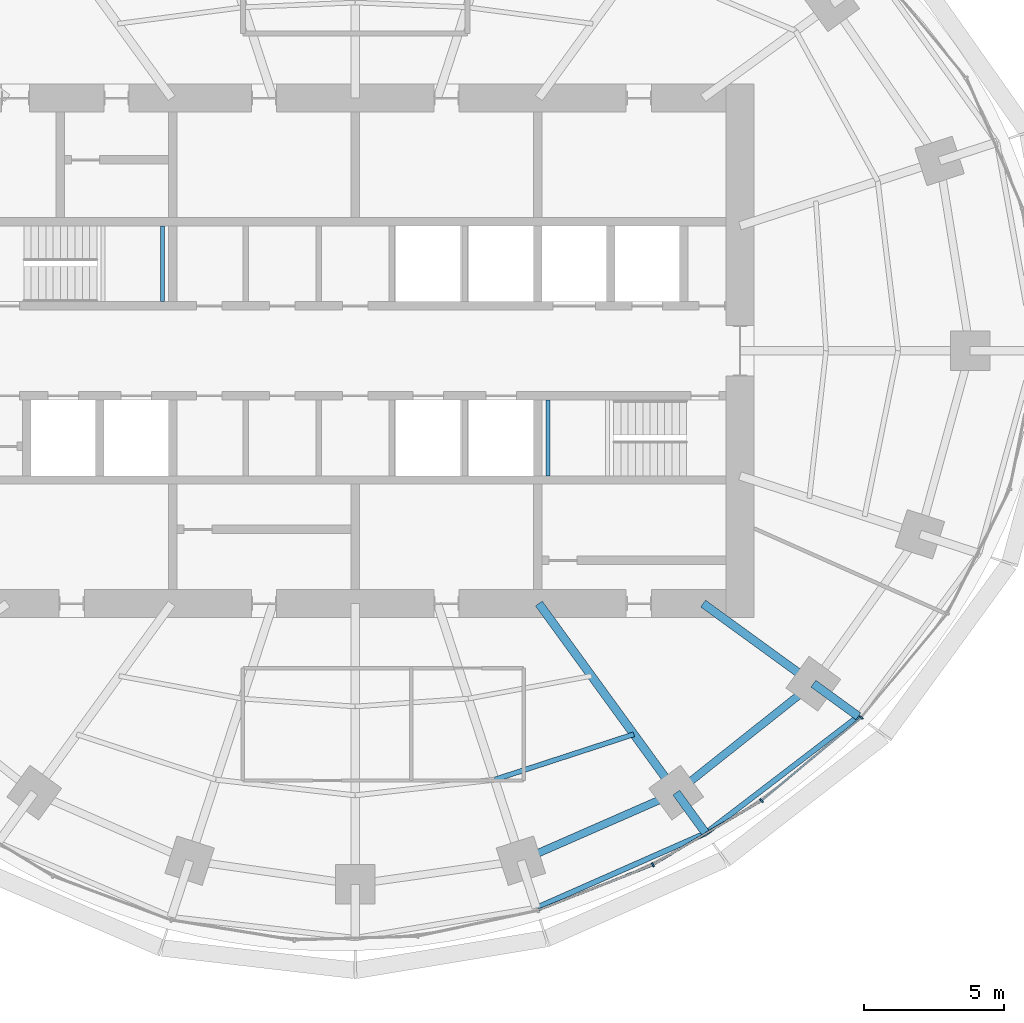
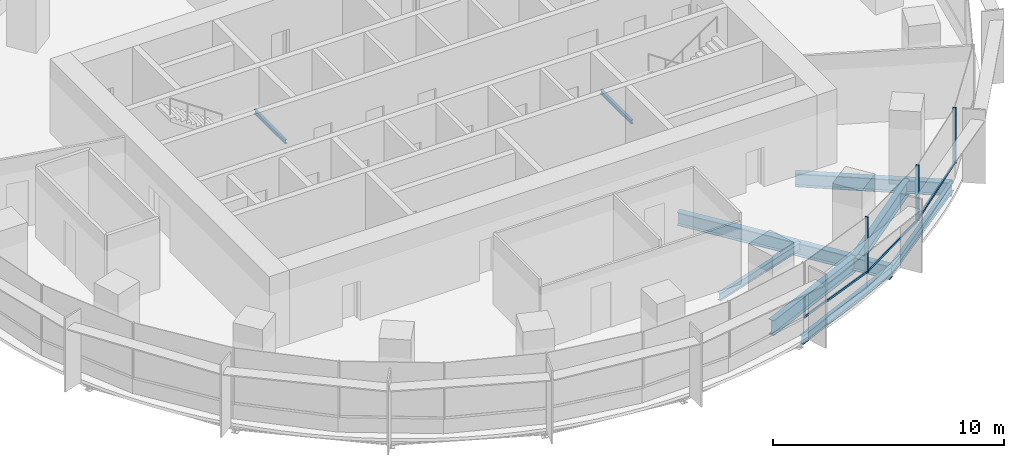
# One storey, part 5 of 14: 11 beams, 6 members, 2 elements without a shape of their own.
"""IFC4 building model written with IfcOpenShell, lengths in metres."""

from ifc_helpers import new_model, si_unit, direction, frame, origin, origin_2d, place, context, subcontext, project, spatial, rectangle, i_section, extrude, material, material_profile, profile_set, type_object, element, aggregate, save


model = new_model("IFC4")

# Units and contexts
model_context = context("Model", 3, precision=1e-05, world=origin(), true_north=direction((0.0, 1.0)))
body_context = subcontext(model_context, "Body", "Model", "MODEL_VIEW")
ifc_project = project(units=[si_unit("LENGTHUNIT", "METRE"), si_unit("AREAUNIT", "SQUARE_METRE"), si_unit("VOLUMEUNIT", "CUBIC_METRE"), si_unit("PLANEANGLEUNIT", "RADIAN"), si_unit("MASSUNIT", "GRAM", prefix="KILO")], contexts=[model_context])

# Site, building, storey
site_placement = place(None, origin())
site = spatial("IfcSite", under=ifc_project, at=site_placement, CompositionType="ELEMENT")
building_placement = place(site_placement, origin())
building = spatial("IfcBuilding", under=site, at=building_placement, Name="Marramba Exchange Tower", CompositionType="ELEMENT")
storey_placement = place(building_placement, frame((0.0, 0.0, 218.89990234375)))
storey = spatial("IfcBuildingStorey", under=building, at=storey_placement, Name="L53", CompositionType="ELEMENT", Elevation=218.89990234375)

# Beams
ifc_material_1 = material(Name="Steel AS/NZS 3679.2 grade 300", Category="steel")
ifc_material_profile_1 = material_profile(ifc_material_1, i_section(OverallWidth=0.300048828125, OverallDepth=0.699951171875, WebThickness=0.010009765625, FlangeThickness=0.031982421875, at=origin_2d()), Name="700WB173")
ifc_profile_set_1 = profile_set([ifc_material_profile_1], Name="Steel AS/NZS 3679.2 grade 300")
beam_type_1 = type_object("IfcBeamType", Name="Cantilever girder 700WB173", PredefinedType="BEAM", material=ifc_profile_set_1)
beam_1_placement = place(storey_placement, frame((11.430419921875, -15.732666015625, -0.510009765625), z_axis=(0.58783009415, -0.808984412959, 0.0), x_axis=(0.808984412959, 0.58783009415, 0.0)))
element("IfcBeam", 1, at=beam_1_placement, inside=storey, type_object=beam_type_1, Name="Cantilever girder L53 TC18", PredefinedType="BEAM", context=body_context, shape_type="SweptSolid", body=[
    extrude(i_section(OverallWidth=0.300048828125, OverallDepth=0.699951171875, WebThickness=0.010009765625, FlangeThickness=0.031982421875, at=origin_2d()), origin(), (0.0, 0.0, 1.0), 1.78515625),
])
beam_2_placement = place(storey_placement, frame((16.3154296875, -11.853759765625, -0.510009765625), z_axis=(0.808970801893, -0.587848825537, 0.0), x_axis=(0.587848825537, 0.808970801893, 0.0)))
element("IfcBeam", 2, at=beam_2_placement, inside=storey, type_object=beam_type_1, Name="Cantilever girder L53 TC19", PredefinedType="BEAM", context=body_context, shape_type="SweptSolid", body=[
    extrude(i_section(OverallWidth=0.300048828125, OverallDepth=0.699951171875, WebThickness=0.010009765625, FlangeThickness=0.031982421875, at=origin_2d()), origin(), (0.0, 0.0, 1.0), 1.978515625),
])
ifc_material_2 = material(Name="Steel AS/NZS 3679.1 grade 300", Category="steel")
ifc_material_profile_2 = material_profile(ifc_material_2, i_section(OverallWidth=0.177978515625, OverallDepth=0.406005859375, WebThickness=0.0078125, FlangeThickness=0.0126953125, FilletRadius=0.011474609375, at=origin_2d()), Name="410UB59.7")
ifc_profile_set_2 = profile_set([ifc_material_profile_2], Name="Steel AS/NZS 3679.1 grade 300")
beam_type_2 = type_object("IfcBeamType", Name="Floor joist 410UB59.7", PredefinedType="JOIST", material=ifc_profile_set_2)
beam_3_placement = place(storey_placement, frame((4.9619140625, -15.271484375, -0.36279296875), z_axis=(0.950764024931, 0.309915744834, 0.0), x_axis=(-0.309915744834, 0.950764024931, 0.0)))
element("IfcBeam", 3, at=beam_3_placement, inside=storey, type_object=beam_type_2, Name="Joist L53 bay 17 row 2", PredefinedType="JOIST", context=body_context, shape_type="SweptSolid", body=[
    extrude(i_section(OverallWidth=0.177978515625, OverallDepth=0.406005859375, WebThickness=0.0078125, FlangeThickness=0.0126953125, FilletRadius=0.011474609375, at=origin_2d()), origin(), (0.0, 0.0, 1.0), 5.2158203125),
])

# Curtain wall, members
ifc_material_3 = material(Name="Aluminium framing, bronze anodised", Category="aluminium")
curtain_wall_type = type_object("IfcCurtainWallType", Name="Office ribbon curtain wall", PredefinedType="USERDEFINED", material=ifc_material_3)
curtain_wall_1_placement = place(storey_placement, origin())
curtain_wall_1 = element("IfcCurtainWall", 4, at=curtain_wall_1_placement, inside=storey, type_object=curtain_wall_type, Name="Curtain wall CW4 L53 F26-F30", ObjectType="RIBBON CURTAIN WALL", PredefinedType="USERDEFINED")
ifc_material_4 = material(Name="Aluminium mullion, bronze anodised", Category="aluminium")
ifc_material_profile_3 = material_profile(ifc_material_4, rectangle(XDim=0.159912109375, YDim=0.06005859375, at=origin_2d()), Name="CW4 mullion 60x160")
ifc_profile_set_3 = profile_set([ifc_material_profile_3], Name="Aluminium mullion, bronze anodised")
member_type_1 = type_object("IfcMemberType", Name="Office ribbon curtain wall mullion", PredefinedType="MULLION", material=ifc_profile_set_3)
member_1_placement = place(storey_placement, frame((10.60009765625, -18.2998046875, 0.800048828125), z_axis=(0.0, 0.0, 1.0), x_axis=(-0.508010571686, 0.861350833897, 0.0)))
member_1 = element("IfcMember", 5, at=member_1_placement, type_object=member_type_1, Name="CW4 mullion 1", PredefinedType="MULLION", context=body_context, shape_type="SweptSolid", body=[
    extrude(rectangle(XDim=0.159912109375, YDim=0.06005859375, at=origin_2d()), origin(), (0.0, 0.0, 1.0), 2.93994140625),
])
member_2_placement = place(storey_placement, frame((14.461669921875, -16.0166015625, 0.800048828125), z_axis=(0.0, 0.0, 1.0), x_axis=(-0.639565270127, 0.768736798421, 0.0)))
member_2 = element("IfcMember", 6, at=member_2_placement, type_object=member_type_1, Name="CW4 mullion 1", PredefinedType="MULLION", context=body_context, shape_type="SweptSolid", body=[
    extrude(rectangle(XDim=0.159912109375, YDim=0.06005859375, at=origin_2d()), origin(), (0.0, 0.0, 1.0), 2.93994140625),
])
member_3_placement = place(storey_placement, frame((18.01611328125, -13.052490234375, 0.800048828125), z_axis=(0.0, 0.0, 1.0), x_axis=(-0.769912069289, 0.63814998673, 0.0)))
member_3 = element("IfcMember", 7, at=member_3_placement, type_object=member_type_1, Name="CW4 mullion 1", PredefinedType="MULLION", context=body_context, shape_type="SweptSolid", body=[
    extrude(rectangle(XDim=0.159912109375, YDim=0.06005859375, at=origin_2d()), origin(), (0.0, 0.0, 1.0), 2.93994140625),
])

# Curtain wall, member
curtain_wall_2_placement = place(storey_placement, origin())
curtain_wall_2 = element("IfcCurtainWall", 8, at=curtain_wall_2_placement, inside=storey, type_object=curtain_wall_type, Name="Curtain wall CW4 L53 F21-F25", ObjectType="RIBBON CURTAIN WALL", PredefinedType="USERDEFINED")
ifc_material_5 = material(Name="Aluminium transom, bronze anodised", Category="aluminium")
ifc_material_profile_4 = material_profile(ifc_material_5, rectangle(XDim=0.06005859375, YDim=0.1201171875, at=origin_2d()), Name="CW4 transom 60x120")
ifc_profile_set_4 = profile_set([ifc_material_profile_4], Name="Aluminium transom, bronze anodised")
member_type_2 = type_object("IfcMemberType", Name="Office ribbon curtain wall transom", PredefinedType="USERDEFINED", material=ifc_profile_set_4)
member_4_placement = place(storey_placement, frame((6.53271484375, -19.911376953125, 0.830078125), z_axis=(0.930068344217, 0.367386547229, 0.0), x_axis=(-0.367386547229, 0.930068344217, 0.0)))
member_4 = element("IfcMember", 9, at=member_4_placement, type_object=member_type_2, Name="CW4 sill transom", ObjectType="TRANSOM", PredefinedType="USERDEFINED", context=body_context, shape_type="SweptSolid", body=[
    extrude(rectangle(XDim=0.06005859375, YDim=0.1201171875, at=origin_2d()), origin(), (0.0, 0.0, 1.0), 4.345458984375),
])
aggregate(curtain_wall_2, [member_4])

# Member
member_5_placement = place(storey_placement, frame((10.6259765625, -18.28466796875, 0.830078125), z_axis=(0.861342387959, 0.508024891816, 0.0), x_axis=(-0.508024891816, 0.861342387959, 0.0)))
member_5 = element("IfcMember", 10, at=member_5_placement, type_object=member_type_2, Name="CW4 sill transom", ObjectType="TRANSOM", PredefinedType="USERDEFINED", context=body_context, shape_type="SweptSolid", body=[
    extrude(rectangle(XDim=0.06005859375, YDim=0.1201171875, at=origin_2d()), origin(), (0.0, 0.0, 1.0), 4.426513671875),
])

member_6_placement = place(storey_placement, frame((14.48486328125, -15.99755859375, 0.830078125), z_axis=(0.768707257272, 0.639600775967, 0.0), x_axis=(-0.639600775967, 0.768707257272, 0.0)))
member_6 = element("IfcMember", 11, at=member_6_placement, type_object=member_type_2, Name="CW4 sill transom", ObjectType="TRANSOM", PredefinedType="USERDEFINED", context=body_context, shape_type="SweptSolid", body=[
    extrude(rectangle(XDim=0.06005859375, YDim=0.1201171875, at=origin_2d()), origin(), (0.0, 0.0, 1.0), 4.568603515625),
])

aggregate(curtain_wall_1, [member_1, member_5, member_2, member_6, member_3])

# Beams
ifc_material_profile_5 = material_profile(ifc_material_1, i_section(OverallWidth=0.300048828125, OverallDepth=0.699951171875, WebThickness=0.010009765625, FlangeThickness=0.031982421875, at=origin_2d()), Name="700WB173")
ifc_profile_set_5 = profile_set([ifc_material_profile_5], Name="Steel AS/NZS 3679.2 grade 300")
beam_type_3 = type_object("IfcBeamType", Name="Radial girder 700WB173", PredefinedType="BEAM", material=ifc_profile_set_5)
beam_4_placement = place(storey_placement, frame((6.538818359375, -9.0, -0.510009765625), z_axis=(0.587787877172, -0.809015087282, 0.0), x_axis=(0.809015087282, 0.587787877172, 0.0)))
element("IfcBeam", 12, at=beam_4_placement, inside=storey, type_object=beam_type_3, Name="Radial girder L53 TC18", PredefinedType="BEAM", context=body_context, shape_type="SweptSolid", body=[
    extrude(i_section(OverallWidth=0.300048828125, OverallDepth=0.699951171875, WebThickness=0.010009765625, FlangeThickness=0.031982421875, at=origin_2d()), origin(), (0.0, 0.0, 1.0), 8.322021484375),
])
beam_5_placement = place(storey_placement, frame((12.387451171875, -9.0, -0.510009765625), z_axis=(0.809025189606, -0.58777397236, 0.0), x_axis=(0.58777397236, 0.809025189606, 0.0)))
element("IfcBeam", 13, at=beam_5_placement, inside=storey, type_object=beam_type_3, Name="Radial girder L53 TC19", PredefinedType="BEAM", context=body_context, shape_type="SweptSolid", body=[
    extrude(i_section(OverallWidth=0.300048828125, OverallDepth=0.699951171875, WebThickness=0.010009765625, FlangeThickness=0.031982421875, at=origin_2d()), origin(), (0.0, 0.0, 1.0), 4.855224609375),
])
ifc_material_profile_6 = material_profile(ifc_material_1, i_section(OverallWidth=0.27490234375, OverallDepth=0.800048828125, WebThickness=0.010009765625, FlangeThickness=0.02490234375, at=origin_2d()), Name="800WB168")
ifc_profile_set_6 = profile_set([ifc_material_profile_6], Name="Steel AS/NZS 3679.2 grade 300")
beam_type_4 = type_object("IfcBeamType", Name="Ring beam 800WB168", PredefinedType="SPANDREL", material=ifc_profile_set_6)
beam_6_placement = place(storey_placement, frame((5.899658203125, -18.156982421875, -0.559814453125), z_axis=(0.915876892158, 0.4014592363, 0.0), x_axis=(-0.4014592363, 0.915876892158, 0.0)))
element("IfcBeam", 14, at=beam_6_placement, inside=storey, type_object=beam_type_4, Name="Ring beam L53 TC17-TC18", PredefinedType="SPANDREL", context=body_context, shape_type="SweptSolid", body=[
    extrude(i_section(OverallWidth=0.27490234375, OverallDepth=0.800048828125, WebThickness=0.010009765625, FlangeThickness=0.02490234375, at=origin_2d()), origin(), (0.0, 0.0, 1.0), 6.038818359375),
])
beam_7_placement = place(storey_placement, frame((11.430419921875, -15.732666015625, -0.559814453125), z_axis=(0.783139438128, 0.621846138887, 0.0), x_axis=(-0.621846138887, 0.783139438128, 0.0)))
element("IfcBeam", 15, at=beam_7_placement, inside=storey, type_object=beam_type_4, Name="Ring beam L53 TC18-TC19", PredefinedType="SPANDREL", context=body_context, shape_type="SweptSolid", body=[
    extrude(i_section(OverallWidth=0.27490234375, OverallDepth=0.800048828125, WebThickness=0.010009765625, FlangeThickness=0.02490234375, at=origin_2d()), origin(), (0.0, 0.0, 1.0), 6.23779296875),
])
ifc_material_profile_7 = material_profile(ifc_material_2, i_section(OverallWidth=0.19091796875, OverallDepth=0.4599609375, WebThickness=0.010009765625, FlangeThickness=0.01611328125, FilletRadius=0.011474609375, at=origin_2d()), Name="460UB82.1")
ifc_profile_set_7 = profile_set([ifc_material_profile_7], Name="Steel AS/NZS 3679.1 grade 300")
beam_type_5 = type_object("IfcBeamType", Name="Slab edge beam 460UB82.1", PredefinedType="SPANDREL", material=ifc_profile_set_7)
beam_8_placement = place(storey_placement, frame((6.44580078125, -19.83837890625, -0.389892578125), z_axis=(0.914940719579, 0.403588255102, 0.0), x_axis=(-0.403588255102, 0.914940719579, 0.0)))
element("IfcBeam", 16, at=beam_8_placement, inside=storey, type_object=beam_type_5, Name="Slab edge beam L53 TC17-TC18", PredefinedType="SPANDREL", context=body_context, shape_type="SweptSolid", body=[
    extrude(i_section(OverallWidth=0.19091796875, OverallDepth=0.4599609375, WebThickness=0.010009765625, FlangeThickness=0.01611328125, FilletRadius=0.011474609375, at=origin_2d()), origin(), (0.0, 0.0, 1.0), 6.594970703125),
])
beam_9_placement = place(storey_placement, frame((12.479736328125, -17.1767578125, -0.389892578125), z_axis=(0.794163423189, 0.607704251481, 0.0), x_axis=(-0.607704251481, 0.794163423189, 0.0)))
element("IfcBeam", 17, at=beam_9_placement, inside=storey, type_object=beam_type_5, Name="Slab edge beam L53 TC18-TC19", PredefinedType="SPANDREL", context=body_context, shape_type="SweptSolid", body=[
    extrude(i_section(OverallWidth=0.19091796875, OverallDepth=0.4599609375, WebThickness=0.010009765625, FlangeThickness=0.01611328125, FilletRadius=0.011474609375, at=origin_2d()), origin(), (0.0, 0.0, 1.0), 6.84521484375),
])
ifc_material_profile_8 = material_profile(ifc_material_2, i_section(OverallWidth=0.133056640625, OverallDepth=0.202880859375, WebThickness=0.005859375, FlangeThickness=0.0078125, FilletRadius=0.0087890625, at=origin_2d()), Name="200UB25.4")
ifc_profile_set_8 = profile_set([ifc_material_profile_8], Name="Steel AS/NZS 3679.1 grade 300")
beam_type_6 = type_object("IfcBeamType", Name="Stair landing beam 200UB25.4", PredefinedType="BEAM", material=ifc_profile_set_8)
for number, where, z_axis, x_axis, name in (
    (18, (-6.866455078125, 1.75, 1.648681640625), (0.0, 1.0, 0.0), (-1.0, 0.0, 0.0), "Stair landing beam SLB1 ST1 L53 2"),
    (19, (6.866455078125, -4.449951171875, 1.648681640625), (0.0, 1.0, 0.0), (-1.0, 0.0, 0.0), "Stair landing beam SLB1 ST2 L53 1"),
):
    element("IfcBeam", number, at=place(storey_placement, frame(where, z_axis=z_axis, x_axis=x_axis)), inside=storey, type_object=beam_type_6, Name=name, PredefinedType="BEAM", context=body_context, shape_type="SweptSolid", body=[
        extrude(i_section(OverallWidth=0.133056640625, OverallDepth=0.202880859375, WebThickness=0.005859375, FlangeThickness=0.0078125, FilletRadius=0.0087890625, at=origin_2d()), origin(), (0.0, 0.0, 1.0), 2.699951171875),
    ])

save(model, "model.ifc")
